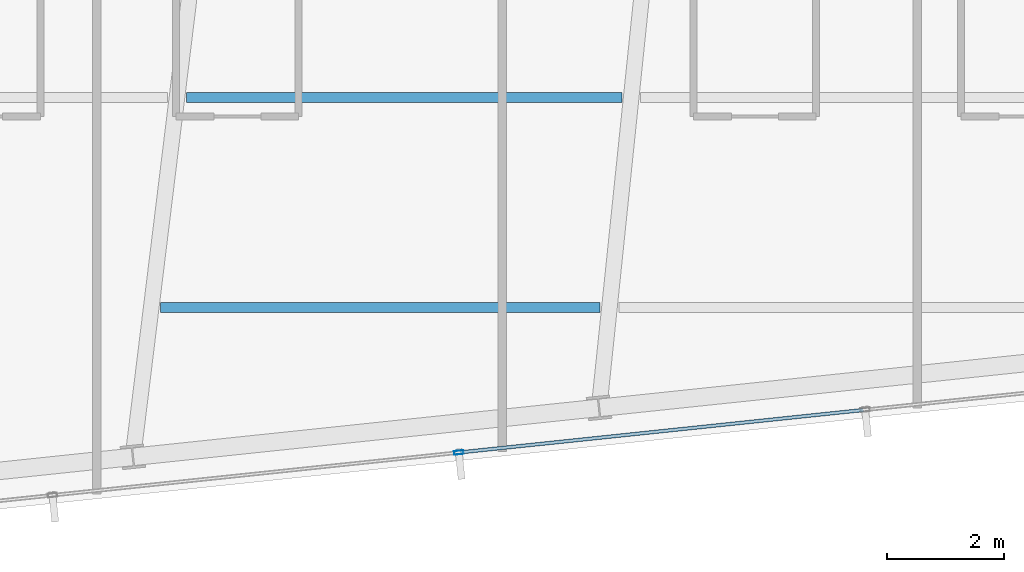
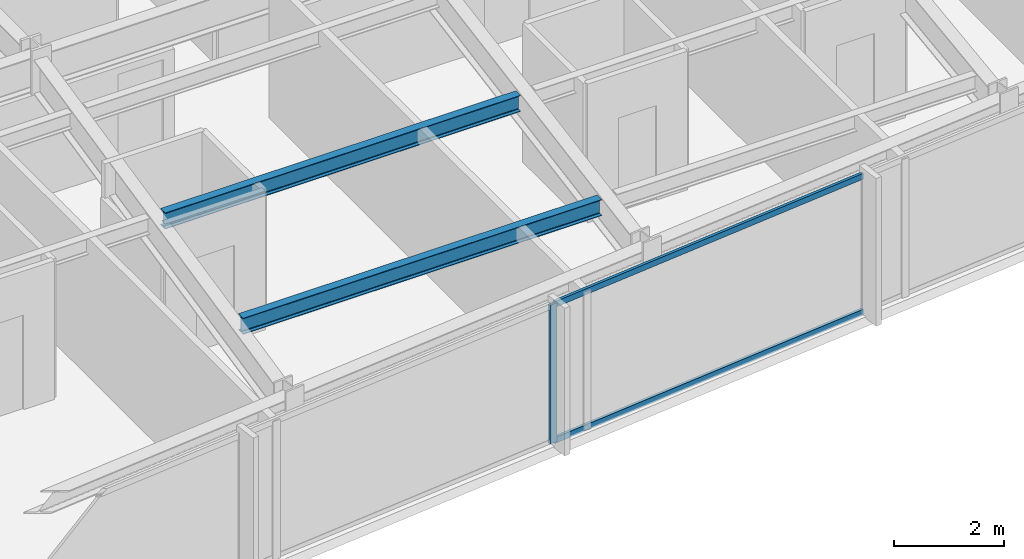
# One storey, part 7 of 33: 3 members, 2 beams, 1 element without a shape of its own.
"""IFC4 building model written with IfcOpenShell, lengths in metres."""

from ifc_helpers import new_model, si_unit, direction, frame, origin, origin_2d, place, context, subcontext, project, spatial, hollow_rectangle, i_section, extrude, material, material_profile, profile_set, type_object, element, aggregate, save


model = new_model("IFC4")

# Units and contexts
model_context = context("Model", 3, precision=1e-05, world=origin(), true_north=direction((0.0, 1.0)))
body_context = subcontext(model_context, "Body", "Model", "MODEL_VIEW")
ifc_project = project(units=[si_unit("LENGTHUNIT", "METRE"), si_unit("AREAUNIT", "SQUARE_METRE"), si_unit("VOLUMEUNIT", "CUBIC_METRE"), si_unit("PLANEANGLEUNIT", "RADIAN"), si_unit("MASSUNIT", "GRAM", prefix="KILO")], contexts=[model_context])

# Site, building, storey
site_placement = place(None, origin())
site = spatial("IfcSite", under=ifc_project, at=site_placement, CompositionType="ELEMENT")
building_placement = place(site_placement, origin())
building = spatial("IfcBuilding", under=site, at=building_placement, Name="Yelkora Congress Tower", CompositionType="ELEMENT")
storey_placement = place(building_placement, frame((0.0, 0.0, 240.800048828125)))
storey = spatial("IfcBuildingStorey", under=building, at=storey_placement, Name="L67", CompositionType="ELEMENT", Elevation=240.800048828125)

# Beams
ifc_material_1 = material(Name="Steel S355J2", Category="steel")
ifc_material_profile_1 = material_profile(ifc_material_1, i_section(OverallWidth=0.169921875, OverallDepth=0.360107421875, WebThickness=0.008056640625, FlangeThickness=0.0126953125, FilletRadius=0.01806640625, at=origin_2d()), Name="IPE 360")
ifc_profile_set_1 = profile_set([ifc_material_profile_1], Name="Steel S355J2")
beam_type = type_object("IfcBeamType", Name="BM-JOIST-IPE360", PredefinedType="JOIST", material=ifc_profile_set_1)
beam_1_placement = place(storey_placement, frame((29.76220703125, 16.07861328125, 2.89990234375), z_axis=(1.0, 0.0, 0.0), x_axis=(0.0, 1.0, 0.0)))
element("IfcBeam", 1, at=beam_1_placement, inside=storey, type_object=beam_type, Name="L67 Composite Floor Joist 1", PredefinedType="JOIST", context=body_context, shape_type="SweptSolid", body=[
    extrude(i_section(OverallWidth=0.169921875, OverallDepth=0.360107421875, WebThickness=0.008056640625, FlangeThickness=0.0126953125, FilletRadius=0.01806640625, at=origin_2d()), origin(), (0.0, 0.0, 1.0), 7.53369140625),
])
beam_2_placement = place(storey_placement, frame((30.203369140625, 19.678466796875, 2.89990234375), z_axis=(1.0, 0.0, 0.0), x_axis=(0.0, 1.0, 0.0)))
element("IfcBeam", 2, at=beam_2_placement, inside=storey, type_object=beam_type, Name="L67 Composite Floor Joist 4", PredefinedType="JOIST", context=body_context, shape_type="SweptSolid", body=[
    extrude(i_section(OverallWidth=0.169921875, OverallDepth=0.360107421875, WebThickness=0.008056640625, FlangeThickness=0.0126953125, FilletRadius=0.01806640625, at=origin_2d()), origin(), (0.0, 0.0, 1.0), 7.465087890625),
])

# Curtain wall, members
ifc_material_2 = material(Name="Anodised aluminium and insulated glass", Category="aluminium")
curtain_wall_type = type_object("IfcCurtainWallType", Name="CW-SYS-B4", PredefinedType="NOTDEFINED", material=ifc_material_2)
curtain_wall_placement = place(storey_placement, origin())
curtain_wall = element("IfcCurtainWall", 3, at=curtain_wall_placement, inside=storey, type_object=curtain_wall_type, Name="L67 Unitised Curtain Wall 20", PredefinedType="NOTDEFINED")
ifc_material_3 = material(Name="Anodised aluminium 6063-T6", Category="aluminium")
ifc_material_profile_2 = material_profile(ifc_material_3, hollow_rectangle(XDim=0.06494140625, YDim=0.159912109375, WallThickness=0.00390625, at=origin_2d()), Name="ALU 65x160x4")
ifc_profile_set_2 = profile_set([ifc_material_profile_2], Name="Anodised aluminium 6063-T6")
member_type_1 = type_object("IfcMemberType", Name="MEM-ML-B4", PredefinedType="MULLION", material=ifc_profile_set_2)
member_1_placement = place(storey_placement, frame((34.87353515625, 13.592529296875, 0.0), z_axis=(0.0, 0.0, 1.0), x_axis=(0.104526664994, -0.994522084373, 0.0)))
member_1 = element("IfcMember", 4, at=member_1_placement, type_object=member_type_1, Name="CW-B4 mullion 6", PredefinedType="MULLION", context=body_context, shape_type="SweptSolid", body=[
    extrude(hollow_rectangle(XDim=0.06494140625, YDim=0.159912109375, WallThickness=0.00390625, at=origin_2d()), origin(), (0.0, 0.0, 1.0), 3.079833984375),
])
ifc_material_profile_3 = material_profile(ifc_material_3, hollow_rectangle(XDim=0.06005859375, YDim=0.1298828125, WallThickness=0.00390625, at=origin_2d()), Name="ALU 60x130x4")
ifc_profile_set_3 = profile_set([ifc_material_profile_3], Name="Anodised aluminium 6063-T6")
member_type_2 = type_object("IfcMemberType", Name="MEM-TR-B4", PredefinedType="USERDEFINED", material=ifc_profile_set_3)
member_2_placement = place(storey_placement, frame((41.8056640625, 14.321044921875, 0.030029296875), z_axis=(-0.99452317859, -0.104516253509, 0.0), x_axis=(0.104516253509, -0.99452317859, 0.0)))
member_2 = element("IfcMember", 5, at=member_2_placement, type_object=member_type_2, Name="CW-B4 transom 5.1", ObjectType="TRANSOM", PredefinedType="USERDEFINED", context=body_context, shape_type="SweptSolid", body=[
    extrude(hollow_rectangle(XDim=0.06005859375, YDim=0.1298828125, WallThickness=0.00390625, at=origin_2d()), origin(), (0.0, 0.0, 1.0), 6.937744140625),
])
member_3_placement = place(storey_placement, frame((41.8056640625, 14.321044921875, 3.050048828125), z_axis=(-0.99452317859, -0.104516253509, 0.0), x_axis=(0.104516253509, -0.99452317859, 0.0)))
member_3 = element("IfcMember", 6, at=member_3_placement, type_object=member_type_2, Name="CW-B4 transom 5.2", ObjectType="TRANSOM", PredefinedType="USERDEFINED", context=body_context, shape_type="SweptSolid", body=[
    extrude(hollow_rectangle(XDim=0.06005859375, YDim=0.1298828125, WallThickness=0.00390625, at=origin_2d()), origin(), (0.0, 0.0, 1.0), 6.937744140625),
])
aggregate(curtain_wall, [member_1, member_2, member_3])

save(model, "model.ifc")
